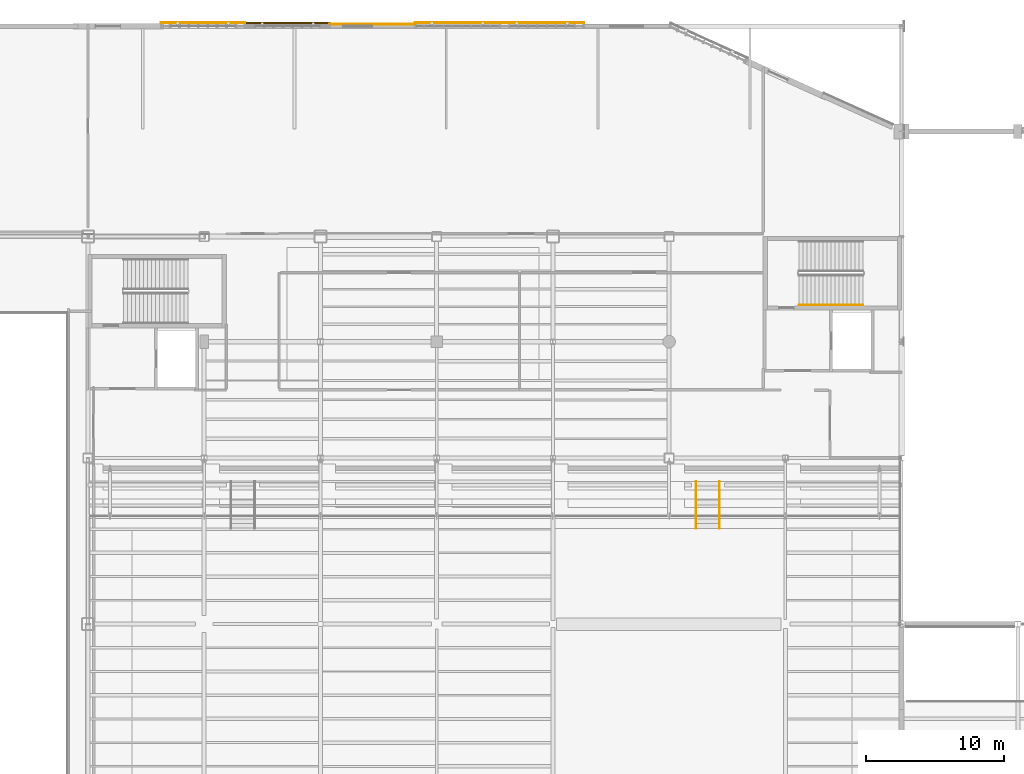
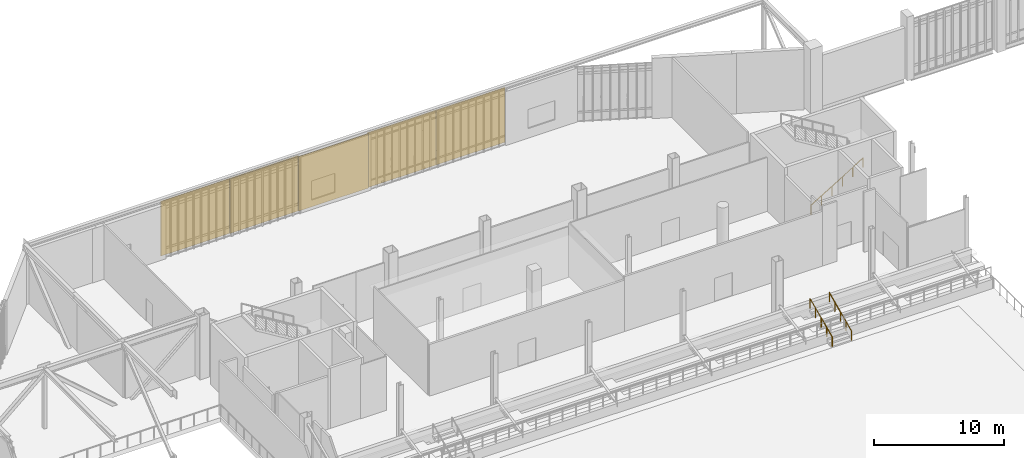
# One storey, part 130 of 135: 4 shading devices, 3 railings, 1 covering.
"""IFC4 building model written with IfcOpenShell, lengths in metres."""

from ifc_helpers import new_model, si_unit, direction, frame, origin, origin_2d, place, context, subcontext, project, spatial, rectangle, circle, extrude, material, layer, layer_set, type_object, element, save


model = new_model("IFC4")

# Units and contexts
model_context = context("Model", 3, precision=1e-05, world=origin(), true_north=direction((0.0, 1.0)))
body_context = subcontext(model_context, "Body", "Model", "MODEL_VIEW")
ifc_project = project(units=[si_unit("LENGTHUNIT", "METRE"), si_unit("AREAUNIT", "SQUARE_METRE"), si_unit("VOLUMEUNIT", "CUBIC_METRE"), si_unit("PLANEANGLEUNIT", "RADIAN"), si_unit("MASSUNIT", "GRAM", prefix="KILO")], contexts=[model_context])

# Site, building, storey
site_placement = place(None, origin())
site = spatial("IfcSite", under=ifc_project, at=site_placement, CompositionType="ELEMENT")
building_placement = place(site_placement, origin())
building = spatial("IfcBuilding", under=site, at=building_placement, Name="Larkvane Passage Sports Hall", CompositionType="ELEMENT")
storey_placement = place(building_placement, frame((0.0, 0.0, 10.800048828125)))
storey = spatial("IfcBuildingStorey", under=building, at=storey_placement, Name="L02", CompositionType="ELEMENT", Elevation=10.800048828125)

# Covering
ifc_material_1 = material(Name="Perforated anodised aluminium 5052-H32", Category="aluminium")
ifc_layer_1 = layer(ifc_material_1, 0.050048828125)
ifc_layer_set_1 = layer_set([ifc_layer_1], Name="Perforated anodised aluminium 5052-H32")
covering_type = type_object("IfcCoveringType", Name="COV-MESH-VEIL", PredefinedType="CLADDING", material=ifc_layer_set_1)
covering_placement = place(storey_placement, frame((55.362548828125, 106.945068359375, 0.074951171875), z_axis=(0.0, 0.0, 1.0), x_axis=(1.0, 0.0, 0.0)))
element("IfcCovering", 1, at=covering_placement, inside=storey, type_object=covering_type, Name="Perforated cladding cassette L02-160", PredefinedType="CLADDING", context=body_context, shape_type="SweptSolid", body=[
    extrude(rectangle(XDim=6.25537109375, YDim=0.050048828125, at=origin_2d()), origin(), (0.0, 0.0, 1.0), 5.1279296875),
])

# Railings
ifc_material_2 = material(Name="Stainless steel S355JR", Category="steel")
railing_type = type_object("IfcRailingType", Name="RL-HAND-920", PredefinedType="HANDRAIL", material=ifc_material_2)
railing_placement = place(storey_placement, frame((86.179931640625, 86.64990234375, 0.176513671875)))
element("IfcRailing", 2, at=railing_placement, inside=storey, type_object=railing_type, Name="L02 ST-03 stair handrail 1", PredefinedType="HANDRAIL", context=body_context, shape_type="SweptSolid", body=[
    extrude(circle(Radius=0.02392578125, at=origin_2d()), frame((0.001708984375, 0.0, 0.876953125), z_axis=(0.854275794217, 0.0, 0.51982003368), x_axis=(0.0, 1.0, 0.0)), (0.0, 0.0, 1.0), 5.427734375),
    extrude(circle(Radius=0.02099609375, at=origin_2d()), origin(), (0.0, 0.0, 1.0), 0.851806640625),
    extrude(circle(Radius=0.02099609375, at=origin_2d()), frame((0.927978515625, 0.0, 0.564697265625)), (0.0, 0.0, 1.0), 0.851806640625),
    extrude(circle(Radius=0.02099609375, at=origin_2d()), frame((1.85595703125, 0.0, 1.12939453125)), (0.0, 0.0, 1.0), 0.851806640625),
    extrude(circle(Radius=0.02099609375, at=origin_2d()), frame((2.7841796875, 0.0, 1.694091796875)), (0.0, 0.0, 1.0), 0.851806640625),
    extrude(circle(Radius=0.02099609375, at=origin_2d()), frame((3.712158203125, 0.0, 2.2587890625)), (0.0, 0.0, 1.0), 0.851806640625),
    extrude(circle(Radius=0.02099609375, at=origin_2d()), frame((4.64013671875, 0.0, 2.823486328125)), (0.0, 0.0, 1.0), 0.851806640625),
])
for number, where, name in (
    (3, (78.75, 70.510009765625, 0.153564453125), "Spectator stair handrail ST-B4-L"),
    (4, (80.449951171875, 70.510009765625, 0.153564453125), "Spectator stair handrail ST-B4-R"),
):
    element("IfcRailing", number, at=place(storey_placement, frame(where)), inside=storey, type_object=railing_type, Name=name, PredefinedType="HANDRAIL", context=body_context, shape_type="SweptSolid", body=[
        extrude(circle(Radius=0.02392578125, at=origin_2d()), frame((0.0, 0.001708984375, 0.876708984375), z_axis=(0.0, 0.91127635095, 0.411795352329), x_axis=(-1.0, 0.0, 0.0)), (0.0, 0.0, 1.0), 3.726806640625),
        extrude(circle(Radius=0.02099609375, at=origin_2d()), origin(), (0.0, 0.0, 1.0), 0.851806640625),
        extrude(circle(Radius=0.02099609375, at=origin_2d()), frame((0.0, 0.85009765625, 0.384033203125)), (0.0, 0.0, 1.0), 0.851806640625),
        extrude(circle(Radius=0.02099609375, at=origin_2d()), frame((0.0, 1.699951171875, 0.76806640625)), (0.0, 0.0, 1.0), 0.851806640625),
        extrude(circle(Radius=0.02099609375, at=origin_2d()), frame((0.0, 2.5498046875, 1.15234375)), (0.0, 0.0, 1.0), 0.851806640625),
        extrude(circle(Radius=0.02099609375, at=origin_2d()), frame((0.0, 3.39990234375, 1.536376953125)), (0.0, 0.0, 1.0), 0.851806640625),
    ])

# Shading devices
ifc_material_3 = material(Name="Extruded aluminium 6063-T6", Category="aluminium")
ifc_layer_2 = layer(ifc_material_3, 0.1201171875)
ifc_layer_set_2 = layer_set([ifc_layer_2], Name="Extruded aluminium 6063-T6")
shading_device_type_1 = type_object("IfcShadingDeviceType", Name="SHD-LOUVRE-STORM", PredefinedType="JALOUSIE", material=ifc_layer_set_2)
shading_device_placement = place(storey_placement, frame((49.237548828125, 107.0400390625, 0.06005859375), z_axis=(0.0, 0.0, 1.0), x_axis=(1.0, 0.0, 0.0)))
element("IfcShadingDevice", 5, at=shading_device_placement, inside=storey, type_object=shading_device_type_1, Name="Solar veil screen L02-069", PredefinedType="JALOUSIE", context=body_context, shape_type="SweptSolid", body=[
    extrude(rectangle(XDim=6.125, YDim=0.1201171875, at=origin_2d()), origin(), (0.0, 0.0, 1.0), 5.14794921875),
])
ifc_layer_3 = layer(ifc_material_1, 0.06005859375)
ifc_layer_set_3 = layer_set([ifc_layer_3], Name="Perforated anodised aluminium 5052-H32")
shading_device_type_2 = type_object("IfcShadingDeviceType", Name="SHD-VEIL-PERF", PredefinedType="SHUTTER", material=ifc_layer_set_3)
for number, where, z_axis, x_axis, name in (
    (6, (43.112548828125, 107.0400390625, 0.06005859375), (0.0, 0.0, 1.0), (1.0, 0.0, 0.0), "Solar veil screen L02-068"),
    (7, (61.487548828125, 107.0400390625, 0.06005859375), (0.0, 0.0, 1.0), (1.0, 0.0, 0.0), "Solar veil screen L02-070"),
    (8, (67.612548828125, 107.0400390625, 0.06005859375), (0.0, 0.0, 1.0), (1.0, 0.0, 0.0), "Solar veil screen L02-071"),
):
    element("IfcShadingDevice", number, at=place(storey_placement, frame(where, z_axis=z_axis, x_axis=x_axis)), inside=storey, type_object=shading_device_type_2, Name=name, PredefinedType="SHUTTER", context=body_context, shape_type="SweptSolid", body=[
        extrude(rectangle(XDim=6.125, YDim=0.06005859375, at=origin_2d()), origin(), (0.0, 0.0, 1.0), 5.157958984375),
    ])

save(model, "model.ifc")
